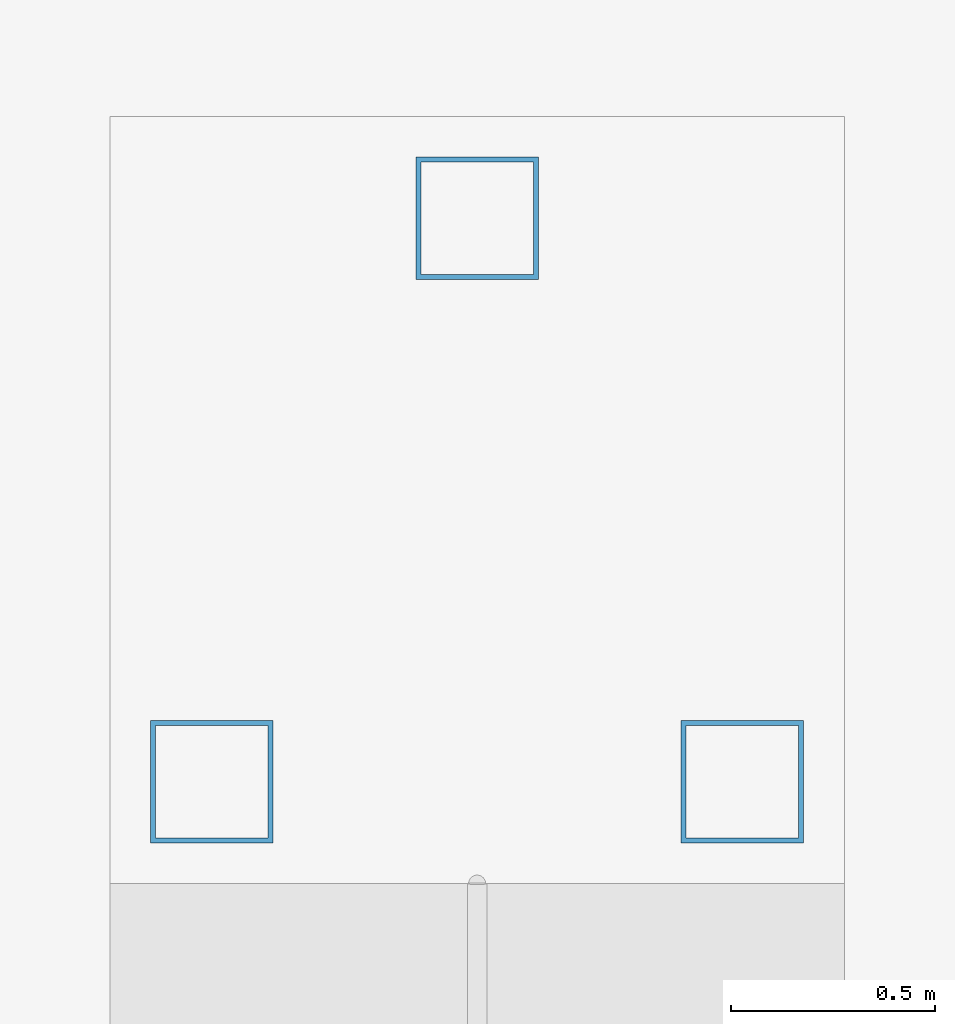
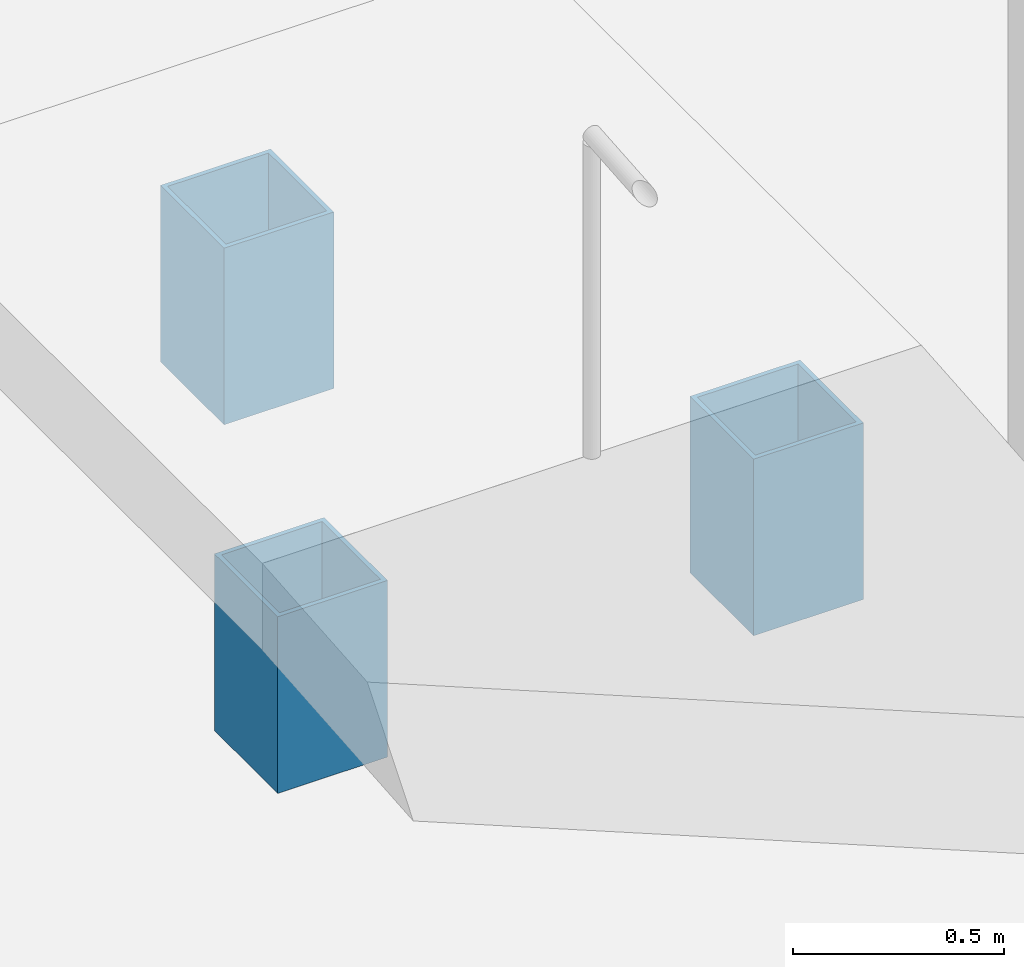
# One storey, part 22 of 79: 3 columns.
"""IFC4 building model written with IfcOpenShell, lengths in metres."""

from ifc_helpers import new_model, si_unit, direction, frame, origin, origin_2d, place, context, subcontext, project, spatial, hollow_rectangle, extrude, material, material_profile, profile_set, type_object, element, save


model = new_model("IFC4")

# Units and contexts
model_context = context("Model", 3, precision=1e-05, world=origin(), true_north=direction((0.0, 1.0)))
body_context = subcontext(model_context, "Body", "Model", "MODEL_VIEW")
ifc_project = project(units=[si_unit("LENGTHUNIT", "METRE"), si_unit("AREAUNIT", "SQUARE_METRE"), si_unit("VOLUMEUNIT", "CUBIC_METRE"), si_unit("PLANEANGLEUNIT", "RADIAN"), si_unit("MASSUNIT", "GRAM", prefix="KILO")], contexts=[model_context])

# Site, building, storey
site_placement = place(None, origin())
site = spatial("IfcSite", under=ifc_project, at=site_placement, CompositionType="ELEMENT")
building_placement = place(site_placement, origin())
building = spatial("IfcBuilding", under=site, at=building_placement, Name="Glasvene Arena", CompositionType="ELEMENT")
storey_placement = place(building_placement, origin())
storey = spatial("IfcBuildingStorey", under=building, at=storey_placement, Name="L00", CompositionType="ELEMENT", Elevation=0.0)

# Columns
ifc_material = material(Name="Steel S355J2", Category="steel")
ifc_material_profile = material_profile(ifc_material, hollow_rectangle(XDim=0.300048828125, YDim=0.300048828125, WallThickness=0.012451171875, at=origin_2d()), Name="SHS 300x300x12.5")
ifc_profile_set = profile_set([ifc_material_profile], Name="Steel S355J2")
column_type = type_object("IfcColumnType", Name="COL-W-SHS300", PredefinedType="COLUMN", material=ifc_profile_set)
for number, where, z_axis, x_axis, name in (
    (1, (51.35009765625, 67.3701171875, 0.0), (0.0, 0.0, 1.0), (1.0, 0.0, 0.0), "Accessible ramp landing pier RP-P1-1"),
    (2, (52.64990234375, 67.3701171875, 0.0), (0.0, 0.0, 1.0), (1.0, 0.0, 0.0), "Accessible ramp landing pier RP-P1-2"),
    (3, (52.0, 68.75, 0.0), (0.0, 0.0, 1.0), (1.0, 0.0, 0.0), "Accessible ramp landing pier RP-P1-3"),
):
    element("IfcColumn", number, at=place(storey_placement, frame(where, z_axis=z_axis, x_axis=x_axis)), inside=storey, type_object=column_type, Name=name, PredefinedType="COLUMN", context=body_context, shape_type="SweptSolid", body=[
        extrude(hollow_rectangle(XDim=0.300048828125, YDim=0.300048828125, WallThickness=0.012451171875, at=origin_2d()), origin(), (0.0, 0.0, 1.0), 0.510009765625),
    ])

save(model, "model.ifc")
